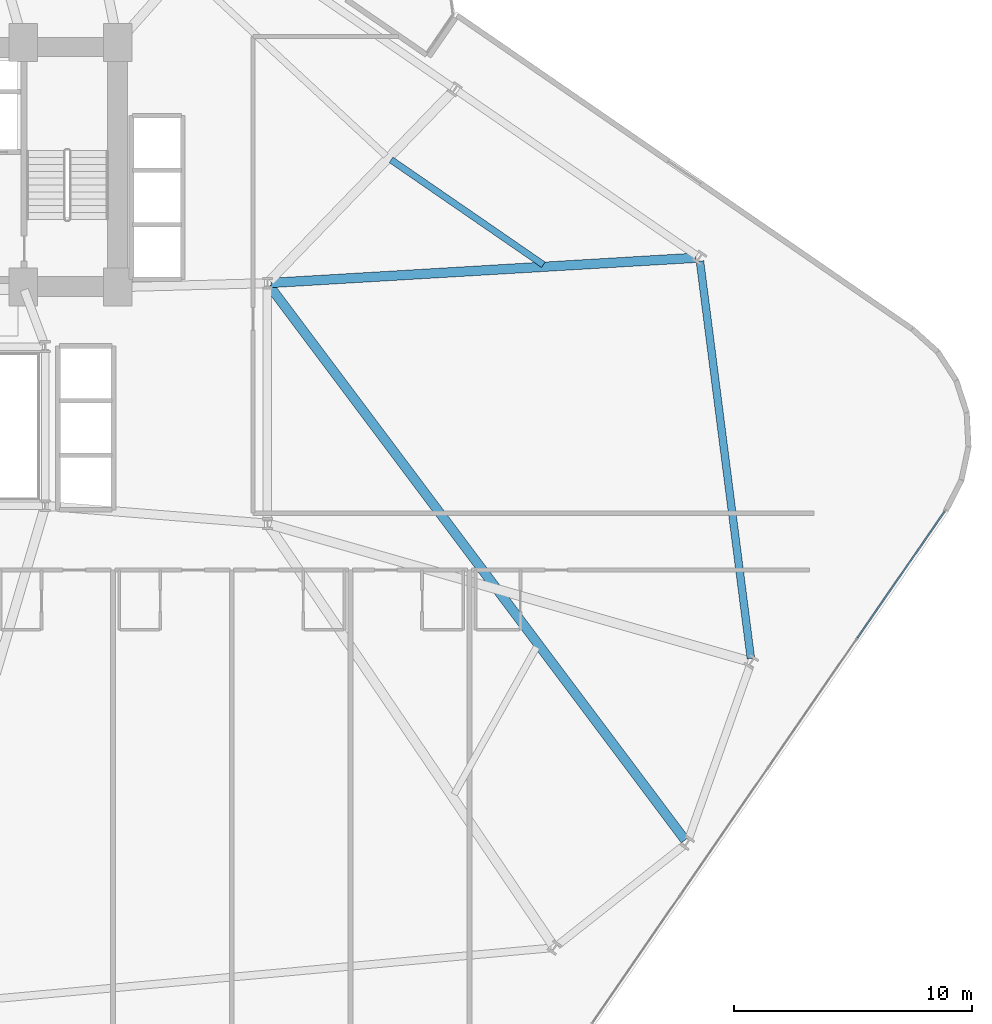
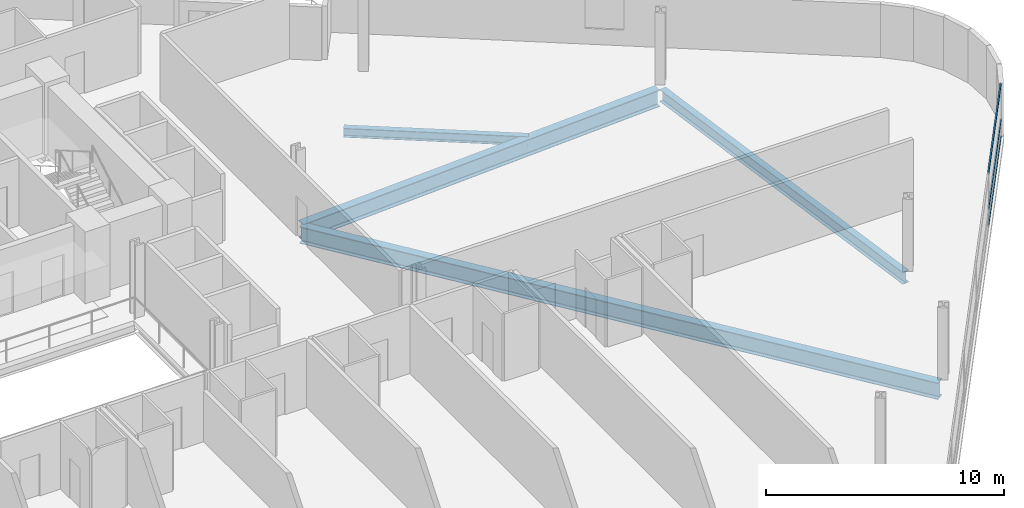
# One storey, part 12 of 27: 4 beams, 3 members, 1 element without a shape of its own.
"""IFC4 building model written with IfcOpenShell, lengths in metres."""

from ifc_helpers import new_model, si_unit, direction, frame, origin, origin_2d, place, context, subcontext, project, spatial, hollow_rectangle, i_section, extrude, material, layer, layer_set, material_profile, profile_set, type_object, element, aggregate, save


model = new_model("IFC4")

# Units and contexts
model_context = context("Model", 3, precision=1e-05, world=origin(), true_north=direction((0.0, 1.0)))
body_context = subcontext(model_context, "Body", "Model", "MODEL_VIEW")
ifc_project = project(units=[si_unit("LENGTHUNIT", "METRE"), si_unit("AREAUNIT", "SQUARE_METRE"), si_unit("VOLUMEUNIT", "CUBIC_METRE"), si_unit("PLANEANGLEUNIT", "RADIAN"), si_unit("MASSUNIT", "GRAM", prefix="KILO")], contexts=[model_context])

# Site, building, storey
site_placement = place(None, origin())
site = spatial("IfcSite", under=ifc_project, at=site_placement, CompositionType="ELEMENT")
building_placement = place(site_placement, origin())
building = spatial("IfcBuilding", under=site, at=building_placement, Name="Varnelok Gate Tower", CompositionType="ELEMENT")
storey_placement = place(building_placement, frame((0.0, 0.0, 30.699951171875)))
storey = spatial("IfcBuildingStorey", under=building, at=storey_placement, Name="L06", CompositionType="ELEMENT", Elevation=30.699951171875)

# Beams
ifc_material_1 = material(Name="Structural Steel ASTM A992 Grade 50", Category="steel")
ifc_material_profile_1 = material_profile(ifc_material_1, i_section(OverallWidth=0.280029296875, OverallDepth=0.462890625, WebThickness=0.0107421875, FlangeThickness=0.017333984375, FilletRadius=0.014892578125, at=origin_2d()), Name="W18X76")
ifc_profile_set_1 = profile_set([ifc_material_profile_1], Name="Structural Steel ASTM A992 Grade 50")
beam_type_1 = type_object("IfcBeamType", Name="BM-JST-W18X76", PredefinedType="JOIST", material=ifc_profile_set_1)
beam_1_placement = place(storey_placement, frame((65.614501953125, 29.6943359375, -0.4814453125), z_axis=(-0.823557426386, 0.567232902294, 0.0), x_axis=(-0.567232902294, -0.823557426386, 0.0)))
element("IfcBeam", 1, at=beam_1_placement, inside=storey, type_object=beam_type_1, Name="L06 Sector Floor Joist 6", PredefinedType="JOIST", context=body_context, shape_type="SweptSolid", body=[
    extrude(i_section(OverallWidth=0.280029296875, OverallDepth=0.462890625, WebThickness=0.0107421875, FlangeThickness=0.017333984375, FilletRadius=0.014892578125, at=origin_2d()), origin(), (0.0, 0.0, 1.0), 7.78271484375),
])
ifc_material_profile_2 = material_profile(ifc_material_1, i_section(OverallWidth=0.39892578125, OverallDepth=0.85498046875, WebThickness=0.018310546875, FlangeThickness=0.029296875, FilletRadius=0.02392578125, at=origin_2d()), Name="W33X201")
ifc_profile_set_2 = profile_set([ifc_material_profile_2], Name="Structural Steel ASTM A992 Grade 50")
beam_type_2 = type_object("IfcBeamType", Name="BM-PRI-W33X201", PredefinedType="BEAM", material=ifc_profile_set_2)
beam_2_placement = place(storey_placement, frame((54.090087890625, 28.800048828125, -0.677490234375), z_axis=(0.600038863323, -0.799970851033, 0.0), x_axis=(0.799970851033, 0.600038863323, 0.0)))
element("IfcBeam", 2, at=beam_2_placement, inside=storey, type_object=beam_type_2, Name="L06 Radial Floor Girder 7", PredefinedType="BEAM", context=body_context, shape_type="SweptSolid", body=[
    extrude(i_section(OverallWidth=0.39892578125, OverallDepth=0.85498046875, WebThickness=0.018310546875, FlangeThickness=0.029296875, FilletRadius=0.02392578125, at=origin_2d()), origin(), (0.0, 0.0, 1.0), 29.148193359375),
])
beam_3_placement = place(storey_placement, frame((54.149658203125, 28.928955078125, -0.677490234375), z_axis=(0.998250753284, 0.059122191839, 0.0), x_axis=(-0.059122191839, 0.998250753284, 0.0)))
element("IfcBeam", 3, at=beam_3_placement, inside=storey, type_object=beam_type_2, Name="L06 Radial Floor Girder 9", PredefinedType="BEAM", context=body_context, shape_type="SweptSolid", body=[
    extrude(i_section(OverallWidth=0.39892578125, OverallDepth=0.85498046875, WebThickness=0.018310546875, FlangeThickness=0.029296875, FilletRadius=0.02392578125, at=origin_2d()), origin(), (0.0, 0.0, 1.0), 17.91748046875),
])
ifc_material_profile_3 = material_profile(ifc_material_1, i_section(OverallWidth=0.323974609375, OverallDepth=0.611083984375, WebThickness=0.0126953125, FlangeThickness=0.01904296875, FilletRadius=0.01806640625, at=origin_2d()), Name="W24X104")
ifc_profile_set_3 = profile_set([ifc_material_profile_3], Name="Structural Steel ASTM A992 Grade 50")
beam_type_3 = type_object("IfcBeamType", Name="BM-SPN-W24X104", PredefinedType="SPANDREL", material=ifc_profile_set_3)
beam_4_placement = place(storey_placement, frame((74.347900390625, 13.125, -0.555419921875), z_axis=(-0.127122673264, 0.991887002608, 0.0), x_axis=(-0.991887002608, -0.127122673264, 0.0)))
element("IfcBeam", 4, at=beam_4_placement, inside=storey, type_object=beam_type_3, Name="L06 Perimeter Spandrel Beam 8", PredefinedType="SPANDREL", context=body_context, shape_type="SweptSolid", body=[
    extrude(i_section(OverallWidth=0.323974609375, OverallDepth=0.611083984375, WebThickness=0.0126953125, FlangeThickness=0.01904296875, FilletRadius=0.01806640625, at=origin_2d()), origin(), (0.0, 0.0, 1.0), 16.860107421875),
])

# Curtain wall, members
ifc_material_2 = material(Name="Anodized Aluminum Alloy 6063-T6", Category="aluminium")
ifc_layer = layer(ifc_material_2, 0.179931640625)
ifc_layer_set = layer_set([ifc_layer], Name="Anodized Aluminum Alloy 6063-T6")
curtain_wall_type = type_object("IfcCurtainWallType", Name="CW3-HOTEL-VISION", PredefinedType="USERDEFINED", material=ifc_layer_set)
curtain_wall_placement = place(storey_placement, origin())
curtain_wall = element("IfcCurtainWall", 5, at=curtain_wall_placement, inside=storey, type_object=curtain_wall_type, Name="L06 East End Vision Curtain Wall", ObjectType="UNITISED CURTAIN WALL", PredefinedType="USERDEFINED")
ifc_material_profile_4 = material_profile(ifc_material_2, hollow_rectangle(XDim=0.06494140625, YDim=0.159912109375, WallThickness=0.00390625, at=origin_2d()), Name="ALU160X65X4")
ifc_profile_set_4 = profile_set([ifc_material_profile_4], Name="Anodized Aluminum Alloy 6063-T6")
member_type = type_object("IfcMemberType", Name="CW-TRAN-160", PredefinedType="USERDEFINED", material=ifc_profile_set_4)
member_1_placement = place(storey_placement, frame((82.505615234375, 19.3125, 0.032470703125), z_axis=(-0.567298980035, -0.823511910813, 0.0), x_axis=(0.823511910813, -0.567298980035, 0.0)))
member_1 = element("IfcMember", 6, at=member_1_placement, type_object=member_type, Name="CW3 transom 1.1", ObjectType="TRANSOM", PredefinedType="USERDEFINED", context=body_context, shape_type="SweptSolid", body=[
    extrude(hollow_rectangle(XDim=0.06494140625, YDim=0.159912109375, WallThickness=0.00390625, at=origin_2d()), origin(), (0.0, 0.0, 1.0), 6.468994140625),
])
member_2_placement = place(storey_placement, frame((82.505615234375, 19.3125, 0.900146484375), z_axis=(-0.567298980035, -0.823511910813, 0.0), x_axis=(0.823511910813, -0.567298980035, 0.0)))
member_2 = element("IfcMember", 7, at=member_2_placement, type_object=member_type, Name="CW3 transom 1.2", ObjectType="TRANSOM", PredefinedType="USERDEFINED", context=body_context, shape_type="SweptSolid", body=[
    extrude(hollow_rectangle(XDim=0.06494140625, YDim=0.159912109375, WallThickness=0.00390625, at=origin_2d()), origin(), (0.0, 0.0, 1.0), 6.468994140625),
])
member_3_placement = place(storey_placement, frame((82.505615234375, 19.3125, 2.697509765625), z_axis=(-0.567298980035, -0.823511910813, 0.0), x_axis=(0.823511910813, -0.567298980035, 0.0)))
member_3 = element("IfcMember", 8, at=member_3_placement, type_object=member_type, Name="CW3 transom 1.3", ObjectType="TRANSOM", PredefinedType="USERDEFINED", context=body_context, shape_type="SweptSolid", body=[
    extrude(hollow_rectangle(XDim=0.06494140625, YDim=0.159912109375, WallThickness=0.00390625, at=origin_2d()), origin(), (0.0, 0.0, 1.0), 6.468994140625),
])
aggregate(curtain_wall, [member_1, member_2, member_3])

save(model, "model.ifc")
